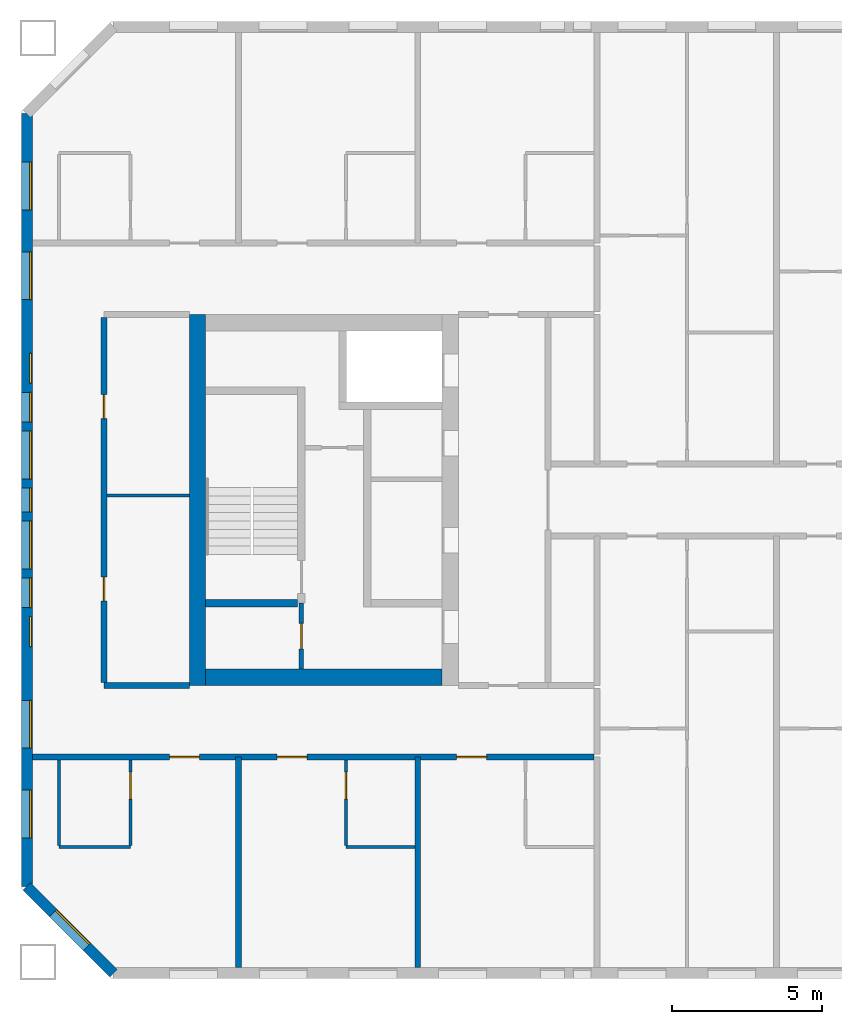
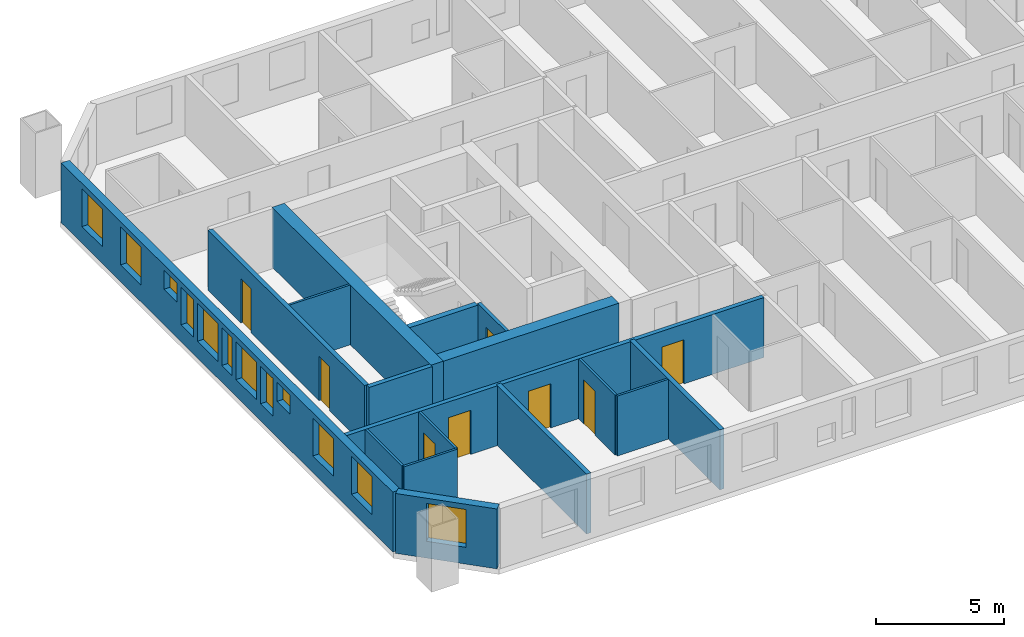
# One storey, part 2 of 16: 17 walls, 12 windows, 8 doors, 20 openings.
"""IFC4 building model written with IfcOpenShell, lengths in metres."""

from ifc_helpers import new_model, si_unit, direction, frame, frame_2d, origin, place, context, subcontext, project, spatial, rectangle, extrude, material, layer, layer_set, type_object, element, fill, save


model = new_model("IFC4")

# Units and contexts
model_context = context("Model", 3, precision=1e-05, world=origin(), true_north=direction((0.0, 1.0)))
body_context = subcontext(model_context, "Body", "Model", "MODEL_VIEW")
ifc_project = project(units=[si_unit("LENGTHUNIT", "METRE"), si_unit("AREAUNIT", "SQUARE_METRE"), si_unit("VOLUMEUNIT", "CUBIC_METRE"), si_unit("PLANEANGLEUNIT", "RADIAN"), si_unit("MASSUNIT", "GRAM", prefix="KILO")], contexts=[model_context])

# Site, building, storey
site_placement = place(None, origin())
site = spatial("IfcSite", under=ifc_project, at=site_placement, CompositionType="ELEMENT")
building_placement = place(site_placement, origin())
building = spatial("IfcBuilding", under=site, at=building_placement, Name="Tuart Gate Housing", CompositionType="ELEMENT")
storey_placement = place(building_placement, frame((0.0, 0.0, 133.0)))
storey = spatial("IfcBuildingStorey", under=building, at=storey_placement, Name="L37", CompositionType="ELEMENT", Elevation=133.0)

# Wall, opening, window
ifc_material_1 = material(Name="Brick", Category="masonry")
ifc_layer_1 = layer(ifc_material_1, 0.360107421875)
ifc_layer_set_1 = layer_set([ifc_layer_1], Name="Brick pier and spandrel wall 360")
wall_type_1 = type_object("IfcWallType", Name="Brick pier and spandrel wall 360", PredefinedType="STANDARD", material=ifc_layer_set_1)
wall_1_placement = place(storey_placement, frame((26.929931640625, 57.07470703125, 0.0), z_axis=(0.0, 0.0, 1.0), x_axis=(0.707106781187, -0.707106781187, 0.0)))
wall_1 = element("IfcWall", 1, at=wall_1_placement, inside=storey, type_object=wall_type_1, Name="External wall A-SW L37", PredefinedType="STANDARD", context=body_context, shape_type="SweptSolid", body=[
    extrude(rectangle(XDim=4.09375, YDim=0.360107421875, at=frame_2d((2.046875, 0.0))), origin(), (0.0, 0.0, 1.0), 2.85009765625),
])
opening_1_placement = place(wall_1_placement, frame((1.2470703125, 0.0, 0.800048828125)))
opening_1 = element("IfcOpeningElement", 2, at=opening_1_placement, cuts=wall_1, Name="Opening W1", PredefinedType="OPENING", context=body_context, shape_type="SweptSolid", body=[
    extrude(rectangle(XDim=1.60009765625, YDim=1.800048828125, at=frame_2d((0.800048828125, 0.89990234375))), frame((0.0, 0.18994140625, 0.0), z_axis=(0.0, -1.0, 0.0), x_axis=(1.0, 0.0, 0.0)), (0.0, 0.0, 1.0), 0.380126953125),
])
ifc_material_2 = material(Name="Aluminium frame with clear glass", Category="aluminium")
window_type_1 = type_object("IfcWindowType", Name="Punched window 1600 x 1800", PartitioningType="SINGLE_PANEL", PredefinedType="WINDOW", material=ifc_material_2)
window_1_placement = place(opening_1_placement, origin())
window_1 = element("IfcWindow", 3, at=window_1_placement, inside=storey, type_object=window_type_1, Name="Window W1", OverallHeight=1.800048828125, OverallWidth=1.60009765625, PartitioningType="SINGLE_PANEL", PredefinedType="WINDOW", context=body_context, shape_type="SweptSolid", body=[
    extrude(rectangle(XDim=1.60009765625, YDim=1.800048828125, at=frame_2d((0.800048828125, 0.89990234375))), frame((0.0, 0.150146484375, 0.0), z_axis=(0.0, -1.0, 0.0), x_axis=(1.0, 0.0, 0.0)), (0.0, 0.0, 1.0), 0.06005859375),
])
fill(opening_1, window_1)

# Wall, openings, windows
wall_2_placement = place(storey_placement, frame((26.929931640625, 82.92529296875, 0.0), z_axis=(0.0, 0.0, 1.0), x_axis=(0.0, -1.0, 0.0)))
wall_2 = element("IfcWall", 4, at=wall_2_placement, inside=storey, type_object=wall_type_1, Name="External wall A-W L37", PredefinedType="STANDARD", context=body_context, shape_type="SweptSolid", body=[
    extrude(rectangle(XDim=25.850830078125, YDim=0.360107421875, at=frame_2d((12.92529296875, 0.0))), origin(), (0.0, 0.0, 1.0), 2.85009765625),
])
opening_2_placement = place(wall_2_placement, frame((1.62548828125, 0.0, 0.800048828125)))
opening_2 = element("IfcOpeningElement", 5, at=opening_2_placement, cuts=wall_2, Name="Opening W1", PredefinedType="OPENING", context=body_context, shape_type="SweptSolid", body=[
    extrude(rectangle(XDim=1.60009765625, YDim=1.800048828125, at=frame_2d((0.800048828125, 0.89990234375))), frame((0.0, 0.18994140625, 0.0), z_axis=(0.0, -1.0, 0.0), x_axis=(1.0, 0.0, 0.0)), (0.0, 0.0, 1.0), 0.380126953125),
])
opening_3_placement = place(wall_2_placement, frame((4.62548828125, 0.0, 0.800048828125)))
opening_3 = element("IfcOpeningElement", 6, at=opening_3_placement, cuts=wall_2, Name="Opening W1", PredefinedType="OPENING", context=body_context, shape_type="SweptSolid", body=[
    extrude(rectangle(XDim=1.60009765625, YDim=1.800048828125, at=frame_2d((0.800048828125, 0.89990234375))), frame((0.0, 0.18994140625, 0.0), z_axis=(0.0, -1.0, 0.0), x_axis=(1.0, 0.0, 0.0)), (0.0, 0.0, 1.0), 0.380126953125),
])
opening_4_placement = place(wall_2_placement, frame((8.025390625, 0.0, 1.699951171875)))
opening_4 = element("IfcOpeningElement", 7, at=opening_4_placement, cuts=wall_2, Name="Opening W1U", PredefinedType="OPENING", context=body_context, shape_type="SweptSolid", body=[
    extrude(rectangle(XDim=1.0, YDim=0.89990234375, at=frame_2d((0.5, 0.449951171875))), frame((0.0, 0.18994140625, 0.0), z_axis=(0.0, -1.0, 0.0), x_axis=(1.0, 0.0, 0.0)), (0.0, 0.0, 1.0), 0.380126953125),
])
opening_5_placement = place(wall_2_placement, frame((10.62548828125, 0.0, 0.800048828125)))
opening_5 = element("IfcOpeningElement", 8, at=opening_5_placement, cuts=wall_2, Name="Opening W1", PredefinedType="OPENING", context=body_context, shape_type="SweptSolid", body=[
    extrude(rectangle(XDim=1.60009765625, YDim=1.800048828125, at=frame_2d((0.800048828125, 0.89990234375))), frame((0.0, 0.18994140625, 0.0), z_axis=(0.0, -1.0, 0.0), x_axis=(1.0, 0.0, 0.0)), (0.0, 0.0, 1.0), 0.380126953125),
])
opening_6_placement = place(wall_2_placement, frame((13.62548828125, 0.0, 0.800048828125)))
opening_6 = element("IfcOpeningElement", 9, at=opening_6_placement, cuts=wall_2, Name="Opening W1", PredefinedType="OPENING", context=body_context, shape_type="SweptSolid", body=[
    extrude(rectangle(XDim=1.60009765625, YDim=1.800048828125, at=frame_2d((0.800048828125, 0.89990234375))), frame((0.0, 0.18994140625, 0.0), z_axis=(0.0, -1.0, 0.0), x_axis=(1.0, 0.0, 0.0)), (0.0, 0.0, 1.0), 0.380126953125),
])
opening_7_placement = place(wall_2_placement, frame((9.325439453125, 0.0, 0.800048828125)))
opening_7 = element("IfcOpeningElement", 10, at=opening_7_placement, cuts=wall_2, Name="Opening W1C", PredefinedType="OPENING", context=body_context, shape_type="SweptSolid", body=[
    extrude(rectangle(XDim=1.0, YDim=1.800048828125, at=frame_2d((0.5, 0.89990234375))), frame((0.0, 0.18994140625, 0.0), z_axis=(0.0, -1.0, 0.0), x_axis=(1.0, 0.0, 0.0)), (0.0, 0.0, 1.0), 0.380126953125),
])
opening_8_placement = place(wall_2_placement, frame((19.62548828125, 0.0, 0.800048828125)))
opening_8 = element("IfcOpeningElement", 11, at=opening_8_placement, cuts=wall_2, Name="Opening W1", PredefinedType="OPENING", context=body_context, shape_type="SweptSolid", body=[
    extrude(rectangle(XDim=1.60009765625, YDim=1.800048828125, at=frame_2d((0.800048828125, 0.89990234375))), frame((0.0, 0.18994140625, 0.0), z_axis=(0.0, -1.0, 0.0), x_axis=(1.0, 0.0, 0.0)), (0.0, 0.0, 1.0), 0.380126953125),
])
opening_9_placement = place(wall_2_placement, frame((22.62548828125, 0.0, 0.800048828125)))
opening_9 = element("IfcOpeningElement", 12, at=opening_9_placement, cuts=wall_2, Name="Opening W1", PredefinedType="OPENING", context=body_context, shape_type="SweptSolid", body=[
    extrude(rectangle(XDim=1.60009765625, YDim=1.800048828125, at=frame_2d((0.800048828125, 0.89990234375))), frame((0.0, 0.18994140625, 0.0), z_axis=(0.0, -1.0, 0.0), x_axis=(1.0, 0.0, 0.0)), (0.0, 0.0, 1.0), 0.380126953125),
])
opening_10_placement = place(wall_2_placement, frame((12.525390625, 0.0, 0.800048828125)))
opening_10 = element("IfcOpeningElement", 13, at=opening_10_placement, cuts=wall_2, Name="Opening W1D", PredefinedType="OPENING", context=body_context, shape_type="SweptSolid", body=[
    extrude(rectangle(XDim=0.800048828125, YDim=1.800048828125, at=frame_2d((0.39990234375, 0.89990234375))), frame((0.0, 0.18994140625, 0.0), z_axis=(0.0, -1.0, 0.0), x_axis=(1.0, 0.0, 0.0)), (0.0, 0.0, 1.0), 0.380126953125),
])
opening_11_placement = place(wall_2_placement, frame((15.525390625, 0.0, 0.800048828125)))
opening_11 = element("IfcOpeningElement", 14, at=opening_11_placement, cuts=wall_2, Name="Opening W1C", PredefinedType="OPENING", context=body_context, shape_type="SweptSolid", body=[
    extrude(rectangle(XDim=1.0, YDim=1.800048828125, at=frame_2d((0.5, 0.89990234375))), frame((0.0, 0.18994140625, 0.0), z_axis=(0.0, -1.0, 0.0), x_axis=(1.0, 0.0, 0.0)), (0.0, 0.0, 1.0), 0.380126953125),
])
opening_12_placement = place(wall_2_placement, frame((16.825439453125, 0.0, 1.699951171875)))
opening_12 = element("IfcOpeningElement", 15, at=opening_12_placement, cuts=wall_2, Name="Opening W1U", PredefinedType="OPENING", context=body_context, shape_type="SweptSolid", body=[
    extrude(rectangle(XDim=1.0, YDim=0.89990234375, at=frame_2d((0.5, 0.449951171875))), frame((0.0, 0.18994140625, 0.0), z_axis=(0.0, -1.0, 0.0), x_axis=(1.0, 0.0, 0.0)), (0.0, 0.0, 1.0), 0.380126953125),
])
ifc_material_3 = material(Name="Aluminium frame with clear glass", Category="aluminium")
window_type_2 = type_object("IfcWindowType", Name="Punched window 1000 x 1800", PartitioningType="SINGLE_PANEL", PredefinedType="WINDOW", material=ifc_material_3)
window_2_placement = place(opening_7_placement, origin())
window_2 = element("IfcWindow", 16, at=window_2_placement, inside=storey, type_object=window_type_2, Name="Window W1C", OverallHeight=1.800048828125, OverallWidth=1.0, PartitioningType="SINGLE_PANEL", PredefinedType="WINDOW", context=body_context, shape_type="SweptSolid", body=[
    extrude(rectangle(XDim=1.0, YDim=1.800048828125, at=frame_2d((0.5, 0.89990234375))), frame((0.0, 0.150146484375, 0.0), z_axis=(0.0, -1.0, 0.0), x_axis=(1.0, 0.0, 0.0)), (0.0, 0.0, 1.0), 0.06005859375),
])
fill(opening_7, window_2)
window_3_placement = place(opening_11_placement, origin())
window_3 = element("IfcWindow", 17, at=window_3_placement, inside=storey, type_object=window_type_2, Name="Window W1C", OverallHeight=1.800048828125, OverallWidth=1.0, PartitioningType="SINGLE_PANEL", PredefinedType="WINDOW", context=body_context, shape_type="SweptSolid", body=[
    extrude(rectangle(XDim=1.0, YDim=1.800048828125, at=frame_2d((0.5, 0.89990234375))), frame((0.0, 0.150146484375, 0.0), z_axis=(0.0, -1.0, 0.0), x_axis=(1.0, 0.0, 0.0)), (0.0, 0.0, 1.0), 0.06005859375),
])
fill(opening_11, window_3)
ifc_material_4 = material(Name="Aluminium frame with clear glass", Category="aluminium")
window_type_3 = type_object("IfcWindowType", Name="Punched window 1000 x 900", PartitioningType="SINGLE_PANEL", PredefinedType="WINDOW", material=ifc_material_4)
window_4_placement = place(opening_4_placement, origin())
window_4 = element("IfcWindow", 18, at=window_4_placement, inside=storey, type_object=window_type_3, Name="Window W1U", OverallHeight=0.89990234375, OverallWidth=1.0, PartitioningType="SINGLE_PANEL", PredefinedType="WINDOW", context=body_context, shape_type="SweptSolid", body=[
    extrude(rectangle(XDim=1.0, YDim=0.89990234375, at=frame_2d((0.5, 0.449951171875))), frame((0.0, 0.150146484375, 0.0), z_axis=(0.0, -1.0, 0.0), x_axis=(1.0, 0.0, 0.0)), (0.0, 0.0, 1.0), 0.06005859375),
])
fill(opening_4, window_4)
window_5_placement = place(opening_12_placement, origin())
window_5 = element("IfcWindow", 19, at=window_5_placement, inside=storey, type_object=window_type_3, Name="Window W1U", OverallHeight=0.89990234375, OverallWidth=1.0, PartitioningType="SINGLE_PANEL", PredefinedType="WINDOW", context=body_context, shape_type="SweptSolid", body=[
    extrude(rectangle(XDim=1.0, YDim=0.89990234375, at=frame_2d((0.5, 0.449951171875))), frame((0.0, 0.150146484375, 0.0), z_axis=(0.0, -1.0, 0.0), x_axis=(1.0, 0.0, 0.0)), (0.0, 0.0, 1.0), 0.06005859375),
])
fill(opening_12, window_5)
window_6_placement = place(opening_2_placement, origin())
window_6 = element("IfcWindow", 20, at=window_6_placement, inside=storey, type_object=window_type_1, Name="Window W1", OverallHeight=1.800048828125, OverallWidth=1.60009765625, PartitioningType="SINGLE_PANEL", PredefinedType="WINDOW", context=body_context, shape_type="SweptSolid", body=[
    extrude(rectangle(XDim=1.60009765625, YDim=1.800048828125, at=frame_2d((0.800048828125, 0.89990234375))), frame((0.0, 0.150146484375, 0.0), z_axis=(0.0, -1.0, 0.0), x_axis=(1.0, 0.0, 0.0)), (0.0, 0.0, 1.0), 0.06005859375),
])
fill(opening_2, window_6)
window_7_placement = place(opening_3_placement, origin())
window_7 = element("IfcWindow", 21, at=window_7_placement, inside=storey, type_object=window_type_1, Name="Window W1", OverallHeight=1.800048828125, OverallWidth=1.60009765625, PartitioningType="SINGLE_PANEL", PredefinedType="WINDOW", context=body_context, shape_type="SweptSolid", body=[
    extrude(rectangle(XDim=1.60009765625, YDim=1.800048828125, at=frame_2d((0.800048828125, 0.89990234375))), frame((0.0, 0.150146484375, 0.0), z_axis=(0.0, -1.0, 0.0), x_axis=(1.0, 0.0, 0.0)), (0.0, 0.0, 1.0), 0.06005859375),
])
fill(opening_3, window_7)
window_8_placement = place(opening_5_placement, origin())
window_8 = element("IfcWindow", 22, at=window_8_placement, inside=storey, type_object=window_type_1, Name="Window W1", OverallHeight=1.800048828125, OverallWidth=1.60009765625, PartitioningType="SINGLE_PANEL", PredefinedType="WINDOW", context=body_context, shape_type="SweptSolid", body=[
    extrude(rectangle(XDim=1.60009765625, YDim=1.800048828125, at=frame_2d((0.800048828125, 0.89990234375))), frame((0.0, 0.150146484375, 0.0), z_axis=(0.0, -1.0, 0.0), x_axis=(1.0, 0.0, 0.0)), (0.0, 0.0, 1.0), 0.06005859375),
])
fill(opening_5, window_8)
window_9_placement = place(opening_6_placement, origin())
window_9 = element("IfcWindow", 23, at=window_9_placement, inside=storey, type_object=window_type_1, Name="Window W1", OverallHeight=1.800048828125, OverallWidth=1.60009765625, PartitioningType="SINGLE_PANEL", PredefinedType="WINDOW", context=body_context, shape_type="SweptSolid", body=[
    extrude(rectangle(XDim=1.60009765625, YDim=1.800048828125, at=frame_2d((0.800048828125, 0.89990234375))), frame((0.0, 0.150146484375, 0.0), z_axis=(0.0, -1.0, 0.0), x_axis=(1.0, 0.0, 0.0)), (0.0, 0.0, 1.0), 0.06005859375),
])
fill(opening_6, window_9)
window_10_placement = place(opening_8_placement, origin())
window_10 = element("IfcWindow", 24, at=window_10_placement, inside=storey, type_object=window_type_1, Name="Window W1", OverallHeight=1.800048828125, OverallWidth=1.60009765625, PartitioningType="SINGLE_PANEL", PredefinedType="WINDOW", context=body_context, shape_type="SweptSolid", body=[
    extrude(rectangle(XDim=1.60009765625, YDim=1.800048828125, at=frame_2d((0.800048828125, 0.89990234375))), frame((0.0, 0.150146484375, 0.0), z_axis=(0.0, -1.0, 0.0), x_axis=(1.0, 0.0, 0.0)), (0.0, 0.0, 1.0), 0.06005859375),
])
fill(opening_8, window_10)
window_11_placement = place(opening_9_placement, origin())
window_11 = element("IfcWindow", 25, at=window_11_placement, inside=storey, type_object=window_type_1, Name="Window W1", OverallHeight=1.800048828125, OverallWidth=1.60009765625, PartitioningType="SINGLE_PANEL", PredefinedType="WINDOW", context=body_context, shape_type="SweptSolid", body=[
    extrude(rectangle(XDim=1.60009765625, YDim=1.800048828125, at=frame_2d((0.800048828125, 0.89990234375))), frame((0.0, 0.150146484375, 0.0), z_axis=(0.0, -1.0, 0.0), x_axis=(1.0, 0.0, 0.0)), (0.0, 0.0, 1.0), 0.06005859375),
])
fill(opening_9, window_11)
ifc_material_5 = material(Name="Aluminium frame with clear glass", Category="aluminium")
window_type_4 = type_object("IfcWindowType", Name="Punched window 800 x 1800", PartitioningType="SINGLE_PANEL", PredefinedType="WINDOW", material=ifc_material_5)
window_12_placement = place(opening_10_placement, origin())
window_12 = element("IfcWindow", 26, at=window_12_placement, inside=storey, type_object=window_type_4, Name="Window W1D", OverallHeight=1.800048828125, OverallWidth=0.800048828125, PartitioningType="SINGLE_PANEL", PredefinedType="WINDOW", context=body_context, shape_type="SweptSolid", body=[
    extrude(rectangle(XDim=0.800048828125, YDim=1.800048828125, at=frame_2d((0.39990234375, 0.89990234375))), frame((0.0, 0.150146484375, 0.0), z_axis=(0.0, -1.0, 0.0), x_axis=(1.0, 0.0, 0.0)), (0.0, 0.0, 1.0), 0.06005859375),
])
fill(opening_10, window_12)

# Wall, opening, door
ifc_material_6 = material(Name="Plasterboard partition")
ifc_layer_2 = layer(ifc_material_6, 0.14990234375)
ifc_layer_set_2 = layer_set([ifc_layer_2], Name="Core partition 150")
wall_type_2 = type_object("IfcWallType", Name="Core partition 150", PredefinedType="PARTITIONING", material=ifc_layer_set_2)
wall_3_placement = place(storey_placement, frame((36.110107421875, 66.550048828125, 0.0), z_axis=(0.0, 0.0, 1.0), x_axis=(0.0, -1.0, 0.0)))
wall_3 = element("IfcWall", 27, at=wall_3_placement, inside=storey, type_object=wall_type_2, Name="Core partition AK.10", PredefinedType="PARTITIONING", context=body_context, shape_type="SweptSolid", body=[
    extrude(rectangle(XDim=2.199951171875, YDim=0.14990234375, at=frame_2d((1.10009765625, 0.0))), origin(), (0.0, 0.0, 1.0), 2.85009765625),
])
opening_13_placement = place(wall_3_placement, frame((0.675048828125, 0.0, 0.0)))
opening_13 = element("IfcOpeningElement", 28, at=opening_13_placement, cuts=wall_3, Name="Opening D1441", PredefinedType="OPENING", context=body_context, shape_type="SweptSolid", body=[
    extrude(rectangle(XDim=0.85009765625, YDim=2.10009765625, at=frame_2d((0.425048828125, 1.050048828125))), frame((0.0, 0.0849609375, 0.0), z_axis=(0.0, -1.0, 0.0), x_axis=(1.0, 0.0, 0.0)), (0.0, 0.0, 1.0), 0.169921875),
])
ifc_material_7 = material(Name="Steel fire door", Category="steel")
door_type_1 = type_object("IfcDoorType", Name="Service door 850 x 2100 RH", OperationType="SINGLE_SWING_RIGHT", PredefinedType="DOOR", material=ifc_material_7)
door_1_placement = place(opening_13_placement, frame((0.85009765625, 0.0, 0.0), z_axis=(0.0, 0.0, 1.0), x_axis=(-1.0, 0.0, 0.0)))
door_1 = element("IfcDoor", 29, at=door_1_placement, inside=storey, type_object=door_type_1, Name="Service room door AK.ST", OperationType="SINGLE_SWING_RIGHT", OverallHeight=2.10009765625, OverallWidth=0.85009765625, PredefinedType="DOOR", context=body_context, shape_type="SweptSolid", body=[
    extrude(rectangle(XDim=0.85009765625, YDim=2.10009765625, at=frame_2d((0.425048828125, 1.050048828125))), frame((0.0, 0.025146484375, 0.0), z_axis=(0.0, -1.0, 0.0), x_axis=(1.0, 0.0, 0.0)), (0.0, 0.0, 1.0), 0.050048828125),
])
fill(opening_13, door_1)

# Walls
ifc_material_8 = material(Name="Concrete C50", Category="concrete")
ifc_layer_3 = layer(ifc_material_8, 0.25)
ifc_layer_set_3 = layer_set([ifc_layer_3], Name="Core wall 250 C50")
wall_type_3 = type_object("IfcWallType", Name="Core wall 250 C50", PredefinedType="SHEAR", material=ifc_layer_set_3)
wall_4_placement = place(storey_placement, frame((35.985107421875, 66.550048828125, 0.0), z_axis=(0.0, 0.0, 1.0), x_axis=(-1.0, 0.0, 0.0)))
element("IfcWall", 30, at=wall_4_placement, inside=storey, type_object=wall_type_3, Name="Core wall AK.6", PredefinedType="SHEAR", context=body_context, shape_type="SweptSolid", body=[
    extrude(rectangle(XDim=3.0751953125, YDim=0.25, at=frame_2d((1.53759765625, 0.0))), origin(), (0.0, 0.0, 1.0), 2.85009765625),
])
ifc_material_9 = material(Name="Concrete C50", Category="concrete")
ifc_layer_4 = layer(ifc_material_9, 0.550048828125)
ifc_layer_set_4 = layer_set([ifc_layer_4], Name="Core wall 550 C50")
wall_type_4 = type_object("IfcWallType", Name="Core wall 550 C50", PredefinedType="SHEAR", material=ifc_layer_set_4)
wall_5_placement = place(storey_placement, frame((32.635009765625, 76.199951171875, 0.0), z_axis=(0.0, 0.0, 1.0), x_axis=(0.0, -1.0, 0.0)))
element("IfcWall", 31, at=wall_5_placement, inside=storey, type_object=wall_type_4, Name="Core wall AK back", PredefinedType="SHEAR", context=body_context, shape_type="SweptSolid", body=[
    extrude(rectangle(XDim=12.39990234375, YDim=0.550048828125, at=frame_2d((6.199951171875, 0.0))), origin(), (0.0, 0.0, 1.0), 2.85009765625),
])
wall_6_placement = place(storey_placement, frame((40.81005859375, 64.074951171875, 0.0), z_axis=(0.0, 0.0, 1.0), x_axis=(-1.0, 0.0, 0.0)))
element("IfcWall", 32, at=wall_6_placement, inside=storey, type_object=wall_type_4, Name="Core wall AK north", PredefinedType="SHEAR", context=body_context, shape_type="SweptSolid", body=[
    extrude(rectangle(XDim=7.900146484375, YDim=0.550048828125, at=frame_2d((3.9501953125, 0.0))), origin(), (0.0, 0.0, 1.0), 2.85009765625),
])

# Wall, openings, doors
ifc_material_10 = material(Name="Concrete masonry 15 MPa", Category="masonry")
ifc_layer_5 = layer(ifc_material_10, 0.199951171875)
ifc_layer_set_5 = layer_set([ifc_layer_5], Name="Corridor wall masonry 200")
wall_type_5 = type_object("IfcWallType", Name="Corridor wall masonry 200", PredefinedType="PARTITIONING", material=ifc_layer_set_5)
wall_7_placement = place(storey_placement, frame((27.110107421875, 61.39990234375, 0.0), z_axis=(0.0, 0.0, 1.0), x_axis=(1.0, 0.0, 0.0)))
wall_7 = element("IfcWall", 33, at=wall_7_placement, inside=storey, type_object=wall_type_5, Name="Corridor wall masonry 200", PredefinedType="PARTITIONING", context=body_context, shape_type="SweptSolid", body=[
    extrude(rectangle(XDim=18.789794921875, YDim=0.199951171875, at=frame_2d((9.39501953125, 0.0))), origin(), (0.0, 0.0, 1.0), 2.85009765625),
])
opening_14_placement = place(wall_7_placement, frame((14.18994140625, 0.0, 0.0)))
opening_14 = element("IfcOpeningElement", 34, at=opening_14_placement, cuts=wall_7, Name="Opening D1453", PredefinedType="OPENING", context=body_context, shape_type="SweptSolid", body=[
    extrude(rectangle(XDim=1.0, YDim=2.10009765625, at=frame_2d((0.5, 1.050048828125))), frame((0.0, 0.10986328125, 0.0), z_axis=(0.0, -1.0, 0.0), x_axis=(1.0, 0.0, 0.0)), (0.0, 0.0, 1.0), 0.219970703125),
])
opening_15_placement = place(wall_7_placement, frame((8.18994140625, 0.0, 0.0)))
opening_15 = element("IfcOpeningElement", 35, at=opening_15_placement, cuts=wall_7, Name="Opening D1454", PredefinedType="OPENING", context=body_context, shape_type="SweptSolid", body=[
    extrude(rectangle(XDim=1.0, YDim=2.10009765625, at=frame_2d((0.5, 1.050048828125))), frame((0.0, 0.10986328125, 0.0), z_axis=(0.0, -1.0, 0.0), x_axis=(1.0, 0.0, 0.0)), (0.0, 0.0, 1.0), 0.219970703125),
])
opening_16_placement = place(wall_7_placement, frame((4.590087890625, 0.0, 0.0)))
opening_16 = element("IfcOpeningElement", 36, at=opening_16_placement, cuts=wall_7, Name="Opening D1455", PredefinedType="OPENING", context=body_context, shape_type="SweptSolid", body=[
    extrude(rectangle(XDim=1.0, YDim=2.10009765625, at=frame_2d((0.5, 1.050048828125))), frame((0.0, 0.10986328125, 0.0), z_axis=(0.0, -1.0, 0.0), x_axis=(1.0, 0.0, 0.0)), (0.0, 0.0, 1.0), 0.219970703125),
])
ifc_material_11 = material(Name="Timber door leaf in steel frame", Category="steel")
door_type_2 = type_object("IfcDoorType", Name="Flat entrance door 1000 RH", OperationType="SINGLE_SWING_RIGHT", PredefinedType="DOOR", material=ifc_material_11)
door_2_placement = place(opening_14_placement, frame((1.0, 0.0, 0.0), z_axis=(0.0, 0.0, 1.0), x_axis=(-1.0, 0.0, 0.0)))
door_2 = element("IfcDoor", 37, at=door_2_placement, inside=storey, type_object=door_type_2, Name="Flat entrance door", OperationType="SINGLE_SWING_RIGHT", OverallHeight=2.10009765625, OverallWidth=1.0, PredefinedType="DOOR", context=body_context, shape_type="SweptSolid", body=[
    extrude(rectangle(XDim=1.0, YDim=2.10009765625, at=frame_2d((0.5, 1.050048828125))), frame((0.0, 0.025146484375, 0.0), z_axis=(0.0, -1.0, 0.0), x_axis=(1.0, 0.0, 0.0)), (0.0, 0.0, 1.0), 0.050048828125),
])
fill(opening_14, door_2)
door_3_placement = place(opening_15_placement, frame((1.0, 0.0, 0.0), z_axis=(0.0, 0.0, 1.0), x_axis=(-1.0, 0.0, 0.0)))
door_3 = element("IfcDoor", 38, at=door_3_placement, inside=storey, type_object=door_type_2, Name="Flat entrance door", OperationType="SINGLE_SWING_RIGHT", OverallHeight=2.10009765625, OverallWidth=1.0, PredefinedType="DOOR", context=body_context, shape_type="SweptSolid", body=[
    extrude(rectangle(XDim=1.0, YDim=2.10009765625, at=frame_2d((0.5, 1.050048828125))), frame((0.0, 0.025146484375, 0.0), z_axis=(0.0, -1.0, 0.0), x_axis=(1.0, 0.0, 0.0)), (0.0, 0.0, 1.0), 0.050048828125),
])
fill(opening_15, door_3)
door_4_placement = place(opening_16_placement, frame((1.0, 0.0, 0.0), z_axis=(0.0, 0.0, 1.0), x_axis=(-1.0, 0.0, 0.0)))
door_4 = element("IfcDoor", 39, at=door_4_placement, inside=storey, type_object=door_type_2, Name="Flat entrance door", OperationType="SINGLE_SWING_RIGHT", OverallHeight=2.10009765625, OverallWidth=1.0, PredefinedType="DOOR", context=body_context, shape_type="SweptSolid", body=[
    extrude(rectangle(XDim=1.0, YDim=2.10009765625, at=frame_2d((0.5, 1.050048828125))), frame((0.0, 0.025146484375, 0.0), z_axis=(0.0, -1.0, 0.0), x_axis=(1.0, 0.0, 0.0)), (0.0, 0.0, 1.0), 0.050048828125),
])
fill(opening_16, door_4)

# Wall
wall_8_placement = place(storey_placement, frame((29.510009765625, 63.800048828125, 0.0), z_axis=(0.0, 0.0, 1.0), x_axis=(1.0, 0.0, 0.0)))
element("IfcWall", 40, at=wall_8_placement, inside=storey, type_object=wall_type_5, Name="Corridor wall masonry 200", PredefinedType="PARTITIONING", context=body_context, shape_type="SweptSolid", body=[
    extrude(rectangle(XDim=2.85009765625, YDim=0.199951171875, at=frame_2d((1.425048828125, 0.0))), origin(), (0.0, 0.0, 1.0), 2.85009765625),
])

# Wall, openings, doors
wall_9_placement = place(storey_placement, frame((29.510009765625, 63.89990234375, 0.0), z_axis=(0.0, 0.0, 1.0), x_axis=(0.0, 1.0, 0.0)))
wall_9 = element("IfcWall", 41, at=wall_9_placement, inside=storey, type_object=wall_type_5, Name="Corridor wall masonry 200", PredefinedType="PARTITIONING", context=body_context, shape_type="SweptSolid", body=[
    extrude(rectangle(XDim=12.2001953125, YDim=0.199951171875, at=frame_2d((6.10009765625, 0.0))), origin(), (0.0, 0.0, 1.0), 2.85009765625),
])
opening_17_placement = place(wall_9_placement, frame((2.72509765625, 0.0, 0.0)))
opening_17 = element("IfcOpeningElement", 42, at=opening_17_placement, cuts=wall_9, Name="Opening D1429", PredefinedType="OPENING", context=body_context, shape_type="SweptSolid", body=[
    extrude(rectangle(XDim=0.800048828125, YDim=2.10009765625, at=frame_2d((0.39990234375, 1.050048828125))), frame((0.0, 0.10986328125, 0.0), z_axis=(0.0, -1.0, 0.0), x_axis=(1.0, 0.0, 0.0)), (0.0, 0.0, 1.0), 0.219970703125),
])
opening_18_placement = place(wall_9_placement, frame((8.824951171875, 0.0, 0.0)))
opening_18 = element("IfcOpeningElement", 43, at=opening_18_placement, cuts=wall_9, Name="Opening D1430", PredefinedType="OPENING", context=body_context, shape_type="SweptSolid", body=[
    extrude(rectangle(XDim=0.800048828125, YDim=2.10009765625, at=frame_2d((0.39990234375, 1.050048828125))), frame((0.0, 0.10986328125, 0.0), z_axis=(0.0, -1.0, 0.0), x_axis=(1.0, 0.0, 0.0)), (0.0, 0.0, 1.0), 0.219970703125),
])
ifc_material_12 = material(Name="Timber door leaf in steel frame", Category="steel")
door_type_3 = type_object("IfcDoorType", Name="Store door 800", OperationType="SINGLE_SWING_LEFT", PredefinedType="DOOR", material=ifc_material_12)
door_5_placement = place(opening_17_placement, frame((0.800048828125, 0.0, 0.0), z_axis=(0.0, 0.0, 1.0), x_axis=(-1.0, 0.0, 0.0)))
door_5 = element("IfcDoor", 44, at=door_5_placement, inside=storey, type_object=door_type_3, Name="Store door", OperationType="SINGLE_SWING_LEFT", OverallHeight=2.10009765625, OverallWidth=0.800048828125, PredefinedType="DOOR", context=body_context, shape_type="SweptSolid", body=[
    extrude(rectangle(XDim=0.800048828125, YDim=2.10009765625, at=frame_2d((0.400146484375, 1.050048828125))), frame((0.0, 0.025146484375, 0.0), z_axis=(0.0, -1.0, 0.0), x_axis=(1.0, 0.0, 0.0)), (0.0, 0.0, 1.0), 0.050048828125),
])
fill(opening_17, door_5)
ifc_material_13 = material(Name="Timber door leaf in steel frame", Category="steel")
door_type_4 = type_object("IfcDoorType", Name="Store door 800 RH", OperationType="SINGLE_SWING_RIGHT", PredefinedType="DOOR", material=ifc_material_13)
door_6_placement = place(opening_18_placement, frame((0.800048828125, 0.0, 0.0), z_axis=(0.0, 0.0, 1.0), x_axis=(-1.0, 0.0, 0.0)))
door_6 = element("IfcDoor", 45, at=door_6_placement, inside=storey, type_object=door_type_4, Name="Store door", OperationType="SINGLE_SWING_RIGHT", OverallHeight=2.10009765625, OverallWidth=0.800048828125, PredefinedType="DOOR", context=body_context, shape_type="SweptSolid", body=[
    extrude(rectangle(XDim=0.800048828125, YDim=2.10009765625, at=frame_2d((0.400146484375, 1.050048828125))), frame((0.0, 0.025146484375, 0.0), z_axis=(0.0, -1.0, 0.0), x_axis=(1.0, 0.0, 0.0)), (0.0, 0.0, 1.0), 0.050048828125),
])
fill(opening_18, door_6)

# Walls
ifc_material_14 = material(Name="Gypsum board on steel studs", Category="steel")
ifc_layer_6 = layer(ifc_material_14, 0.10009765625)
ifc_layer_set_6 = layer_set([ifc_layer_6], Name="Partition 100")
wall_type_6 = type_object("IfcWallType", Name="Partition 100", PredefinedType="PARTITIONING", material=ifc_layer_set_6)
wall_10_placement = place(storey_placement, frame((28.0, 58.39990234375, 0.0), z_axis=(0.0, 0.0, 1.0), x_axis=(1.0, 0.0, 0.0)))
element("IfcWall", 46, at=wall_10_placement, inside=storey, type_object=wall_type_6, Name="Partition 100", PredefinedType="PARTITIONING", context=body_context, shape_type="SweptSolid", body=[
    extrude(rectangle(XDim=2.39990234375, YDim=0.10009765625, at=frame_2d((1.199951171875, 0.0))), origin(), (0.0, 0.0, 1.0), 2.85009765625),
])
wall_11_placement = place(storey_placement, frame((37.60009765625, 58.39990234375, 0.0), z_axis=(0.0, 0.0, 1.0), x_axis=(1.0, 0.0, 0.0)))
element("IfcWall", 47, at=wall_11_placement, inside=storey, type_object=wall_type_6, Name="Partition 100", PredefinedType="PARTITIONING", context=body_context, shape_type="SweptSolid", body=[
    extrude(rectangle(XDim=2.2998046875, YDim=0.10009765625, at=frame_2d((1.14990234375, 0.0))), origin(), (0.0, 0.0, 1.0), 2.85009765625),
])
wall_12_placement = place(storey_placement, frame((29.610107421875, 70.14990234375, 0.0), z_axis=(0.0, 0.0, 1.0), x_axis=(1.0, 0.0, 0.0)))
element("IfcWall", 48, at=wall_12_placement, inside=storey, type_object=wall_type_6, Name="Partition 100", PredefinedType="PARTITIONING", context=body_context, shape_type="SweptSolid", body=[
    extrude(rectangle(XDim=2.75, YDim=0.10009765625, at=frame_2d((1.375, 0.0))), origin(), (0.0, 0.0, 1.0), 2.85009765625),
])
wall_13_placement = place(storey_placement, frame((28.0, 58.449951171875, 0.0), z_axis=(0.0, 0.0, 1.0), x_axis=(0.0, 1.0, 0.0)))
element("IfcWall", 49, at=wall_13_placement, inside=storey, type_object=wall_type_6, Name="Partition 100", PredefinedType="PARTITIONING", context=body_context, shape_type="SweptSolid", body=[
    extrude(rectangle(XDim=2.85009765625, YDim=0.10009765625, at=frame_2d((1.425048828125, 0.0))), origin(), (0.0, 0.0, 1.0), 2.85009765625),
])

# Wall, opening, door
wall_14_placement = place(storey_placement, frame((30.39990234375, 58.449951171875, 0.0), z_axis=(0.0, 0.0, 1.0), x_axis=(0.0, 1.0, 0.0)))
wall_14 = element("IfcWall", 50, at=wall_14_placement, inside=storey, type_object=wall_type_6, Name="Partition 100", PredefinedType="PARTITIONING", context=body_context, shape_type="SweptSolid", body=[
    extrude(rectangle(XDim=2.85009765625, YDim=0.10009765625, at=frame_2d((1.425048828125, 0.0))), origin(), (0.0, 0.0, 1.0), 2.85009765625),
])
opening_19_placement = place(wall_14_placement, frame((1.550048828125, 0.0, 0.0)))
opening_19 = element("IfcOpeningElement", 51, at=opening_19_placement, cuts=wall_14, Name="Opening D1458", PredefinedType="OPENING", context=body_context, shape_type="SweptSolid", body=[
    extrude(rectangle(XDim=0.89990234375, YDim=2.10009765625, at=frame_2d((0.449951171875, 1.050048828125))), frame((0.0, 0.06005859375, 0.0), z_axis=(0.0, -1.0, 0.0), x_axis=(1.0, 0.0, 0.0)), (0.0, 0.0, 1.0), 0.1201171875),
])
ifc_material_15 = material(Name="Timber door leaf in steel frame", Category="steel")
door_type_5 = type_object("IfcDoorType", Name="Bathroom door 900 RH", OperationType="SINGLE_SWING_RIGHT", PredefinedType="DOOR", material=ifc_material_15)
door_7_placement = place(opening_19_placement, origin())
door_7 = element("IfcDoor", 52, at=door_7_placement, inside=storey, type_object=door_type_5, Name="Bathroom door", OperationType="SINGLE_SWING_RIGHT", OverallHeight=2.10009765625, OverallWidth=0.89990234375, PredefinedType="DOOR", context=body_context, shape_type="SweptSolid", body=[
    extrude(rectangle(XDim=0.89990234375, YDim=2.10009765625, at=frame_2d((0.449951171875, 1.050048828125))), frame((0.0, 0.02490234375, 0.0), z_axis=(0.0, -1.0, 0.0), x_axis=(1.0, 0.0, 0.0)), (0.0, 0.0, 1.0), 0.050048828125),
])
fill(opening_19, door_7)

wall_15_placement = place(storey_placement, frame((37.60009765625, 58.449951171875, 0.0), z_axis=(0.0, 0.0, 1.0), x_axis=(0.0, 1.0, 0.0)))
wall_15 = element("IfcWall", 53, at=wall_15_placement, inside=storey, type_object=wall_type_6, Name="Partition 100", PredefinedType="PARTITIONING", context=body_context, shape_type="SweptSolid", body=[
    extrude(rectangle(XDim=2.85009765625, YDim=0.10009765625, at=frame_2d((1.425048828125, 0.0))), origin(), (0.0, 0.0, 1.0), 2.85009765625),
])
opening_20_placement = place(wall_15_placement, frame((1.550048828125, 0.0, 0.0)))
opening_20 = element("IfcOpeningElement", 54, at=opening_20_placement, cuts=wall_15, Name="Opening D1459", PredefinedType="OPENING", context=body_context, shape_type="SweptSolid", body=[
    extrude(rectangle(XDim=0.89990234375, YDim=2.10009765625, at=frame_2d((0.449951171875, 1.050048828125))), frame((0.0, 0.06005859375, 0.0), z_axis=(0.0, -1.0, 0.0), x_axis=(1.0, 0.0, 0.0)), (0.0, 0.0, 1.0), 0.1201171875),
])
ifc_material_16 = material(Name="Timber door leaf in steel frame", Category="steel")
door_type_6 = type_object("IfcDoorType", Name="Bathroom door 900", OperationType="SINGLE_SWING_LEFT", PredefinedType="DOOR", material=ifc_material_16)
door_8_placement = place(opening_20_placement, frame((0.89990234375, 0.0, 0.0), z_axis=(0.0, 0.0, 1.0), x_axis=(-1.0, 0.0, 0.0)))
door_8 = element("IfcDoor", 55, at=door_8_placement, inside=storey, type_object=door_type_6, Name="Bathroom door", OperationType="SINGLE_SWING_LEFT", OverallHeight=2.10009765625, OverallWidth=0.89990234375, PredefinedType="DOOR", context=body_context, shape_type="SweptSolid", body=[
    extrude(rectangle(XDim=0.89990234375, YDim=2.10009765625, at=frame_2d((0.449951171875, 1.050048828125))), frame((0.0, 0.025146484375, 0.0), z_axis=(0.0, -1.0, 0.0), x_axis=(1.0, 0.0, 0.0)), (0.0, 0.0, 1.0), 0.050048828125),
])
fill(opening_20, door_8)

# Walls
ifc_material_17 = material(Name="Concrete C40", Category="concrete")
ifc_layer_7 = layer(ifc_material_17, 0.199951171875)
ifc_layer_set_7 = layer_set([ifc_layer_7], Name="Party wall concrete C40 200")
wall_type_7 = type_object("IfcWallType", Name="Party wall concrete C40 200", PredefinedType="SOLIDWALL", material=ifc_layer_set_7)
for number, where, z_axis, x_axis, name in (
    (56, (34.0, 54.360107421875, 0.0), (0.0, 0.0, 1.0), (0.0, 1.0, 0.0), "Party wall concrete C40 200"),
    (57, (40.0, 54.360107421875, 0.0), (0.0, 0.0, 1.0), (0.0, 1.0, 0.0), "Party wall concrete C40 200"),
):
    element("IfcWall", number, at=place(storey_placement, frame(where, z_axis=z_axis, x_axis=x_axis)), inside=storey, type_object=wall_type_7, Name=name, PredefinedType="SOLIDWALL", context=body_context, shape_type="SweptSolid", body=[
        extrude(rectangle(XDim=7.039794921875, YDim=0.199951171875, at=frame_2d((3.52001953125, 0.0))), origin(), (0.0, 0.0, 1.0), 2.85009765625),
    ])

save(model, "model.ifc")
